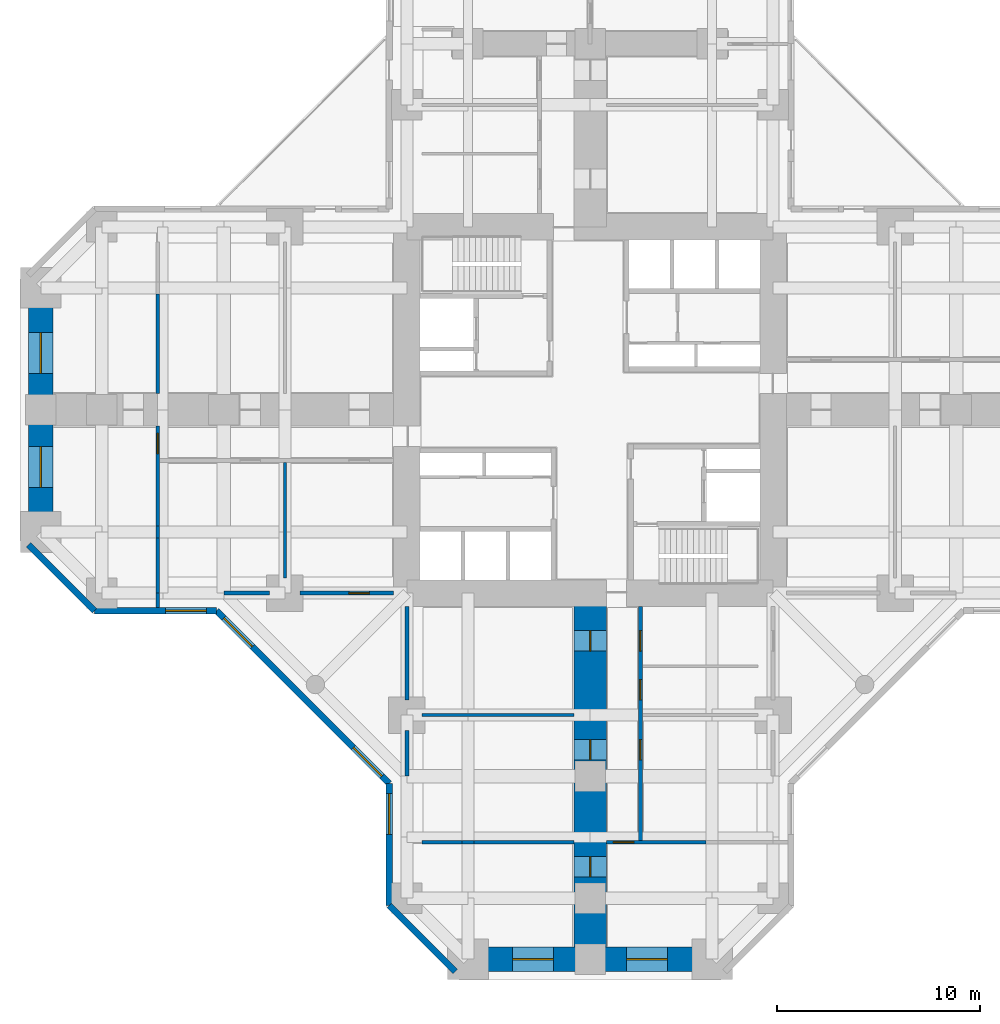
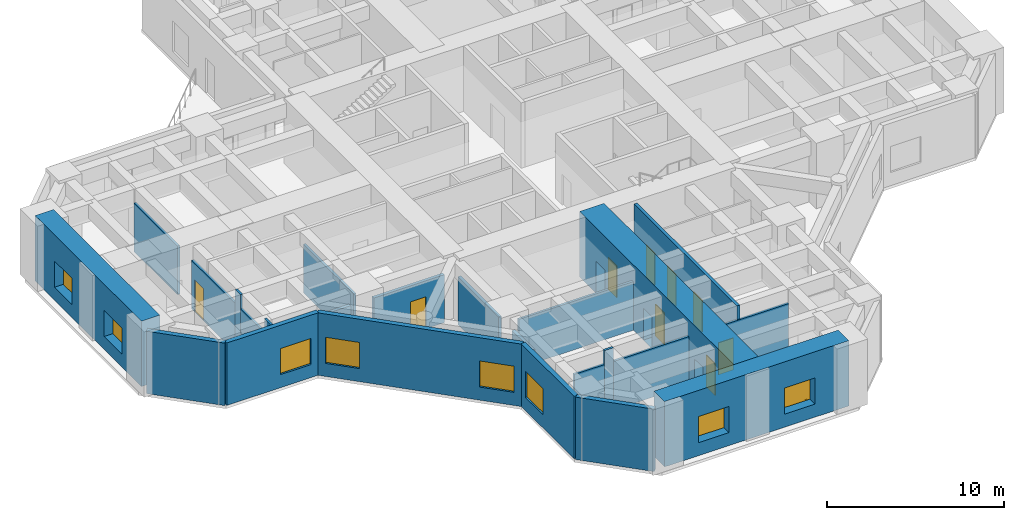
# One storey, part 3 of 10: 24 walls, 9 doors, 8 windows, 17 openings.
"""IFC4 building model written with IfcOpenShell, lengths in metres."""

from ifc_helpers import new_model, si_unit, direction, frame, frame_2d, origin, place, context, subcontext, project, spatial, rectangle, hollow_rectangle, extrude, material, layer, layer_set, constituent, constituent_set, type_object, element, fill, save


model = new_model("IFC4")

# Units and contexts
model_context = context("Model", 3, precision=1e-05, world=origin(), true_north=direction((0.0, 1.0)))
body_context = subcontext(model_context, "Body", "Model", "MODEL_VIEW")
ifc_project = project(units=[si_unit("LENGTHUNIT", "METRE"), si_unit("AREAUNIT", "SQUARE_METRE"), si_unit("VOLUMEUNIT", "CUBIC_METRE"), si_unit("PLANEANGLEUNIT", "RADIAN"), si_unit("MASSUNIT", "GRAM", prefix="KILO")], contexts=[model_context])

# Site, building, storey
site_placement = place(None, origin())
site = spatial("IfcSite", under=ifc_project, at=site_placement, CompositionType="ELEMENT")
building_placement = place(site_placement, origin())
building = spatial("IfcBuilding", under=site, at=building_placement, Name="Torre Cruceta", CompositionType="ELEMENT")
storey_placement = place(building_placement, frame((0.0, 0.0, 5.0)))
storey = spatial("IfcBuildingStorey", under=building, at=storey_placement, Name="L01", CompositionType="ELEMENT", Elevation=5.0)

# Wall, openings, doors
ifc_material_1 = material(Name="Concrete G25 (fck 25 MPa)", Category="concrete")
ifc_layer_1 = layer(ifc_material_1, 0.199951171875)
ifc_layer_set_1 = layer_set([ifc_layer_1], Name="Concrete G25 (fck 25 MPa)")
wall_type_1 = type_object("IfcWallType", Name="CORRIDOR WALL 200", PredefinedType="SOLIDWALL", material=ifc_layer_set_1)
wall_1_placement = place(storey_placement, frame((2.47509765625, -9.64990234375, 0.0), z_axis=(0.0, 0.0, 1.0), x_axis=(0.0, -1.0, 0.0)))
wall_1 = element("IfcWall", 1, at=wall_1_placement, inside=storey, type_object=wall_type_1, Name="PT3 L01-S-CL", PredefinedType="SOLIDWALL", context=body_context, shape_type="SweptSolid", body=[
    extrude(rectangle(XDim=11.60009765625, YDim=0.199951171875, at=frame_2d((5.800048828125, 0.0))), origin(), (0.0, 0.0, 1.0), 4.300048828125),
])
opening_1_placement = place(wall_1_placement, frame((1.199951171875, 0.0, 0.0)))
opening_1 = element("IfcOpeningElement", 2, at=opening_1_placement, cuts=wall_1, Name="Opening D14", PredefinedType="OPENING", context=body_context, shape_type="SweptSolid", body=[
    extrude(rectangle(XDim=1.0, YDim=2.199951171875, at=frame_2d((0.5, 1.10009765625))), frame((0.0, 0.10986328125, 0.0), z_axis=(0.0, -1.0, 0.0), x_axis=(1.0, 0.0, 0.0)), (0.0, 0.0, 1.0), 0.219970703125),
])
opening_2_placement = place(wall_1_placement, frame((3.60009765625, 0.0, 0.0)))
opening_2 = element("IfcOpeningElement", 3, at=opening_2_placement, cuts=wall_1, Name="Opening D14", PredefinedType="OPENING", context=body_context, shape_type="SweptSolid", body=[
    extrude(rectangle(XDim=1.0, YDim=2.199951171875, at=frame_2d((0.5, 1.10009765625))), frame((0.0, 0.10986328125, 0.0), z_axis=(0.0, -1.0, 0.0), x_axis=(1.0, 0.0, 0.0)), (0.0, 0.0, 1.0), 0.219970703125),
])
opening_3_placement = place(wall_1_placement, frame((6.550048828125, 0.0, 0.0)))
opening_3 = element("IfcOpeningElement", 4, at=opening_3_placement, cuts=wall_1, Name="Opening D14", PredefinedType="OPENING", context=body_context, shape_type="SweptSolid", body=[
    extrude(rectangle(XDim=1.0, YDim=2.199951171875, at=frame_2d((0.5, 1.10009765625))), frame((0.0, 0.10986328125, 0.0), z_axis=(0.0, -1.0, 0.0), x_axis=(1.0, 0.0, 0.0)), (0.0, 0.0, 1.0), 0.219970703125),
])
ifc_material_2 = material(Name="Steel DX51D", Category="steel")
ifc_constituent_1 = constituent(ifc_material_2, Name="Leaf and frame")
ifc_material_3 = material(Name="Polyester powder coating", Category="paint")
ifc_constituent_2 = constituent(ifc_material_3, Name="Finish")
ifc_material_4 = material(Name="Fire-resisting glass", Category="glass")
ifc_constituent_3 = constituent(ifc_material_4, Name="Vision panel")
ifc_constituent_set_1 = constituent_set(constituents=[ifc_constituent_1, ifc_constituent_2, ifc_constituent_3], Name="Steel fire door with vision panel")
door_type = type_object("IfcDoorType", Name="FIRE DOOR VISION PANEL 1000X2200", OperationType="SINGLE_SWING_RIGHT", PredefinedType="DOOR", material=ifc_constituent_set_1)
door_1_placement = place(opening_1_placement, origin())
door_1 = element("IfcDoor", 5, at=door_1_placement, inside=storey, type_object=door_type, Name="D14 L01-S-CL-D1", OperationType="SINGLE_SWING_RIGHT", OverallHeight=2.199951171875, OverallWidth=1.0, PredefinedType="DOOR", context=body_context, shape_type="SweptSolid", body=[
    extrude(rectangle(XDim=1.0, YDim=2.199951171875, at=frame_2d((0.5, 1.10009765625))), frame((0.0, 0.02490234375, 0.0), z_axis=(0.0, -1.0, 0.0), x_axis=(1.0, 0.0, 0.0)), (0.0, 0.0, 1.0), 0.050048828125),
])
fill(opening_1, door_1)
door_2_placement = place(opening_2_placement, origin())
door_2 = element("IfcDoor", 6, at=door_2_placement, inside=storey, type_object=door_type, Name="D14 L01-S-CL-D3", OperationType="SINGLE_SWING_LEFT", OverallHeight=2.199951171875, OverallWidth=1.0, PredefinedType="DOOR", context=body_context, shape_type="SweptSolid", body=[
    extrude(rectangle(XDim=1.0, YDim=2.199951171875, at=frame_2d((0.5, 1.10009765625))), frame((0.0, 0.02490234375, 0.0), z_axis=(0.0, -1.0, 0.0), x_axis=(1.0, 0.0, 0.0)), (0.0, 0.0, 1.0), 0.050048828125),
])
fill(opening_2, door_2)
door_3_placement = place(opening_3_placement, origin())
door_3 = element("IfcDoor", 7, at=door_3_placement, inside=storey, type_object=door_type, Name="D14 L01-S-CL-D2", OperationType="SINGLE_SWING_LEFT", OverallHeight=2.199951171875, OverallWidth=1.0, PredefinedType="DOOR", context=body_context, shape_type="SweptSolid", body=[
    extrude(rectangle(XDim=1.0, YDim=2.199951171875, at=frame_2d((0.5, 1.10009765625))), frame((0.0, 0.02490234375, 0.0), z_axis=(0.0, -1.0, 0.0), x_axis=(1.0, 0.0, 0.0)), (0.0, 0.0, 1.0), 0.050048828125),
])
fill(opening_3, door_3)

# Wall
ifc_material_5 = material(Name="Concrete G30 (fck 30 MPa)", Category="concrete")
ifc_layer_2 = layer(ifc_material_5, 0.300048828125)
ifc_layer_set_2 = layer_set([ifc_layer_2], Name="Concrete G30 (fck 30 MPa)")
wall_type_2 = type_object("IfcWallType", Name="EXPOSED CONCRETE FACADE WALL 300", PredefinedType="SOLIDWALL", material=ifc_layer_set_2)
wall_2_placement = place(storey_placement, frame((-27.60009765625, -6.63037109375, 0.0), z_axis=(0.0, 0.0, 1.0), x_axis=(0.707106781187, -0.707106781187, 0.0)))
element("IfcWall", 8, at=wall_2_placement, inside=storey, type_object=wall_type_2, Name="EW1 facade wall L01 W chamfer 13", PredefinedType="SOLIDWALL", context=body_context, shape_type="SweptSolid", body=[
    extrude(rectangle(XDim=4.581787109375, YDim=0.300048828125, at=frame_2d((2.291015625, 0.0))), origin(), (0.0, 0.0, 1.0), 4.300048828125),
])

# Wall, opening, window
wall_3_placement = place(storey_placement, frame((-24.3603515625, -9.8701171875, 0.0), z_axis=(0.0, 0.0, 1.0), x_axis=(1.0, 0.0, 0.0)))
wall_3 = element("IfcWall", 9, at=wall_3_placement, inside=storey, type_object=wall_type_2, Name="EW1 facade wall L01 W side 14", PredefinedType="SOLIDWALL", context=body_context, shape_type="SweptSolid", body=[
    extrude(rectangle(XDim=6.0, YDim=0.300048828125, at=frame_2d((3.0, 0.0))), origin(), (0.0, 0.0, 1.0), 4.300048828125),
])
opening_4_placement = place(wall_3_placement, frame((3.5, 0.0, 0.89990234375)))
opening_4 = element("IfcOpeningElement", 10, at=opening_4_placement, cuts=wall_3, Name="Opening WN1", PredefinedType="OPENING", context=body_context, shape_type="SweptSolid", body=[
    extrude(rectangle(XDim=2.0, YDim=1.800048828125, at=frame_2d((1.0, 0.89990234375))), frame((0.0, 0.159912109375, 0.0), z_axis=(0.0, -1.0, 0.0), x_axis=(1.0, 0.0, 0.0)), (0.0, 0.0, 1.0), 0.320068359375),
])
ifc_material_6 = material(Name="Aluminium window frame", Category="aluminium")
ifc_constituent_4 = constituent(ifc_material_6, Name="Frame")
ifc_material_7 = material(Name="Laminated insulating glass unit, low-iron clear", Category="glass")
ifc_constituent_5 = constituent(ifc_material_7, Name="Glazing")
ifc_constituent_set_2 = constituent_set(constituents=[ifc_constituent_4, ifc_constituent_5], Name="Aluminium window")
window_type = type_object("IfcWindowType", Name="SCHOOL WINDOW 2000X1800", PartitioningType="SINGLE_PANEL", PredefinedType="WINDOW", material=ifc_constituent_set_2)
window_1_placement = place(opening_4_placement, origin())
window_1 = element("IfcWindow", 11, at=window_1_placement, inside=storey, type_object=window_type, Name="WN1 L01 W 2", OverallHeight=1.800048828125, OverallWidth=2.0, PartitioningType="SINGLE_PANEL", PredefinedType="WINDOW", context=body_context, shape_type="SweptSolid", body=[
    extrude(hollow_rectangle(XDim=2.0, YDim=1.800048828125, WallThickness=0.06005859375, at=frame_2d((1.0, 0.89990234375))), frame((0.0, 0.030029296875, 0.0), z_axis=(0.0, -1.0, 0.0), x_axis=(1.0, 0.0, 0.0)), (0.0, 0.0, 1.0), 0.06005859375),
    extrude(rectangle(XDim=1.87890625, YDim=1.678955078125, at=frame_2d((1.0, 0.89990234375))), frame((0.0, 0.030029296875, 0.0), z_axis=(0.0, -1.0, 0.0), x_axis=(1.0, 0.0, 0.0)), (0.0, 0.0, 1.0), 0.06005859375),
])
fill(opening_4, window_1)

# Wall, openings, windows
wall_4_placement = place(storey_placement, frame((-18.3603515625, -9.8701171875, 0.0), z_axis=(0.0, 0.0, 1.0), x_axis=(0.707106781187, -0.707106781187, 0.0)))
wall_4 = element("IfcWall", 12, at=wall_4_placement, inside=storey, type_object=wall_type_2, Name="EW1 facade wall L01 W wing 15", PredefinedType="SOLIDWALL", context=body_context, shape_type="SweptSolid", body=[
    extrude(rectangle(XDim=12.007080078125, YDim=0.300048828125, at=frame_2d((6.00341796875, 0.0))), origin(), (0.0, 0.0, 1.0), 4.300048828125),
])
opening_5_placement = place(wall_4_placement, frame((0.5009765625, 0.0, 0.89990234375)))
opening_5 = element("IfcOpeningElement", 13, at=opening_5_placement, cuts=wall_4, Name="Opening WN1", PredefinedType="OPENING", context=body_context, shape_type="SweptSolid", body=[
    extrude(rectangle(XDim=2.0, YDim=1.800048828125, at=frame_2d((1.0, 0.89990234375))), frame((0.0, 0.159912109375, 0.0), z_axis=(0.0, -1.0, 0.0), x_axis=(1.0, 0.0, 0.0)), (0.0, 0.0, 1.0), 0.320068359375),
])
opening_6_placement = place(wall_4_placement, frame((9.50634765625, 0.0, 0.89990234375)))
opening_6 = element("IfcOpeningElement", 14, at=opening_6_placement, cuts=wall_4, Name="Opening WN1", PredefinedType="OPENING", context=body_context, shape_type="SweptSolid", body=[
    extrude(rectangle(XDim=2.0, YDim=1.800048828125, at=frame_2d((1.0, 0.89990234375))), frame((0.0, 0.159912109375, 0.0), z_axis=(0.0, -1.0, 0.0), x_axis=(1.0, 0.0, 0.0)), (0.0, 0.0, 1.0), 0.320068359375),
])
window_2_placement = place(opening_5_placement, origin())
window_2 = element("IfcWindow", 15, at=window_2_placement, inside=storey, type_object=window_type, Name="WN1 L01 W 1", OverallHeight=1.800048828125, OverallWidth=2.0, PartitioningType="SINGLE_PANEL", PredefinedType="WINDOW", context=body_context, shape_type="SweptSolid", body=[
    extrude(hollow_rectangle(XDim=2.0, YDim=1.800048828125, WallThickness=0.06005859375, at=frame_2d((1.0, 0.89990234375))), frame((0.0, 0.030029296875, 0.0), z_axis=(0.0, -1.0, 0.0), x_axis=(1.0, 0.0, 0.0)), (0.0, 0.0, 1.0), 0.06005859375),
    extrude(rectangle(XDim=1.87890625, YDim=1.678955078125, at=frame_2d((1.0, 0.89990234375))), frame((0.0, 0.030029296875, 0.0), z_axis=(0.0, -1.0, 0.0), x_axis=(1.0, 0.0, 0.0)), (0.0, 0.0, 1.0), 0.06005859375),
])
fill(opening_5, window_2)
window_3_placement = place(opening_6_placement, origin())
window_3 = element("IfcWindow", 16, at=window_3_placement, inside=storey, type_object=window_type, Name="WN1 L01 W 4", OverallHeight=1.800048828125, OverallWidth=2.0, PartitioningType="SINGLE_PANEL", PredefinedType="WINDOW", context=body_context, shape_type="SweptSolid", body=[
    extrude(hollow_rectangle(XDim=2.0, YDim=1.800048828125, WallThickness=0.06005859375, at=frame_2d((1.0, 0.89990234375))), frame((0.0, 0.030029296875, 0.0), z_axis=(0.0, -1.0, 0.0), x_axis=(1.0, 0.0, 0.0)), (0.0, 0.0, 1.0), 0.06005859375),
    extrude(rectangle(XDim=1.87890625, YDim=1.678955078125, at=frame_2d((1.0, 0.89990234375))), frame((0.0, 0.030029296875, 0.0), z_axis=(0.0, -1.0, 0.0), x_axis=(1.0, 0.0, 0.0)), (0.0, 0.0, 1.0), 0.06005859375),
])
fill(opening_6, window_3)

# Wall, opening, window
wall_5_placement = place(storey_placement, frame((-9.8701171875, -18.3603515625, 0.0), z_axis=(0.0, 0.0, 1.0), x_axis=(0.0, -1.0, 0.0)))
wall_5 = element("IfcWall", 17, at=wall_5_placement, inside=storey, type_object=wall_type_2, Name="EW1 facade wall L01 S side 16", PredefinedType="SOLIDWALL", context=body_context, shape_type="SweptSolid", body=[
    extrude(rectangle(XDim=6.0, YDim=0.300048828125, at=frame_2d((3.0, 0.0))), origin(), (0.0, 0.0, 1.0), 4.300048828125),
])
opening_7_placement = place(wall_5_placement, frame((0.5, 0.0, 0.89990234375)))
opening_7 = element("IfcOpeningElement", 18, at=opening_7_placement, cuts=wall_5, Name="Opening WN1", PredefinedType="OPENING", context=body_context, shape_type="SweptSolid", body=[
    extrude(rectangle(XDim=2.0, YDim=1.800048828125, at=frame_2d((1.0, 0.89990234375))), frame((0.0, 0.159912109375, 0.0), z_axis=(0.0, -1.0, 0.0), x_axis=(1.0, 0.0, 0.0)), (0.0, 0.0, 1.0), 0.320068359375),
])
window_4_placement = place(opening_7_placement, origin())
window_4 = element("IfcWindow", 19, at=window_4_placement, inside=storey, type_object=window_type, Name="WN1 L01 S 1", OverallHeight=1.800048828125, OverallWidth=2.0, PartitioningType="SINGLE_PANEL", PredefinedType="WINDOW", context=body_context, shape_type="SweptSolid", body=[
    extrude(hollow_rectangle(XDim=2.0, YDim=1.800048828125, WallThickness=0.06005859375, at=frame_2d((1.0, 0.89990234375))), frame((0.0, 0.030029296875, 0.0), z_axis=(0.0, -1.0, 0.0), x_axis=(1.0, 0.0, 0.0)), (0.0, 0.0, 1.0), 0.06005859375),
    extrude(rectangle(XDim=1.87890625, YDim=1.678955078125, at=frame_2d((1.0, 0.89990234375))), frame((0.0, 0.030029296875, 0.0), z_axis=(0.0, -1.0, 0.0), x_axis=(1.0, 0.0, 0.0)), (0.0, 0.0, 1.0), 0.06005859375),
])
fill(opening_7, window_4)

# Wall
wall_6_placement = place(storey_placement, frame((-9.8701171875, -24.3603515625, 0.0), z_axis=(0.0, 0.0, 1.0), x_axis=(0.707106781187, -0.707106781187, 0.0)))
element("IfcWall", 20, at=wall_6_placement, inside=storey, type_object=wall_type_2, Name="EW1 facade wall L01 S chamfer 17", PredefinedType="SOLIDWALL", context=body_context, shape_type="SweptSolid", body=[
    extrude(rectangle(XDim=4.581787109375, YDim=0.300048828125, at=frame_2d((2.291015625, 0.0))), origin(), (0.0, 0.0, 1.0), 4.300048828125),
])

# Wall, openings, windows
ifc_material_8 = material(Name="Concrete G60 (fck 60 MPa)", Category="concrete")
ifc_layer_3 = layer(ifc_material_8, 1.199951171875)
ifc_layer_set_3 = layer_set([ifc_layer_3], Name="Concrete G60 (fck 60 MPa)")
wall_type_3 = type_object("IfcWallType", Name="NOSE WALL 1200 G60", PredefinedType="SHEAR", material=ifc_layer_set_3)
wall_7_placement = place(storey_placement, frame((-6.0, -27.0, 0.0), z_axis=(0.0, 0.0, 1.0), x_axis=(1.0, 0.0, 0.0)))
wall_7 = element("IfcWall", 21, at=wall_7_placement, inside=storey, type_object=wall_type_3, Name="NW1 nose wall L01 S", PredefinedType="SHEAR", context=body_context, shape_type="SweptSolid", body=[
    extrude(rectangle(XDim=12.0, YDim=1.199951171875, at=frame_2d((6.0, 0.0))), origin(), (0.0, 0.0, 1.0), 4.5),
])
opening_8_placement = place(wall_7_placement, frame((2.199951171875, 0.0, 0.89990234375)))
opening_8 = element("IfcOpeningElement", 22, at=opening_8_placement, cuts=wall_7, Name="Opening WN1", PredefinedType="OPENING", context=body_context, shape_type="SweptSolid", body=[
    extrude(rectangle(XDim=2.0, YDim=1.800048828125, at=frame_2d((1.0, 0.89990234375))), frame((0.0, 0.60986328125, 0.0), z_axis=(0.0, -1.0, 0.0), x_axis=(1.0, 0.0, 0.0)), (0.0, 0.0, 1.0), 1.219970703125),
])
opening_9_placement = place(wall_7_placement, frame((7.800048828125, 0.0, 0.89990234375)))
opening_9 = element("IfcOpeningElement", 23, at=opening_9_placement, cuts=wall_7, Name="Opening WN1", PredefinedType="OPENING", context=body_context, shape_type="SweptSolid", body=[
    extrude(rectangle(XDim=2.0, YDim=1.800048828125, at=frame_2d((1.0, 0.89990234375))), frame((0.0, 0.60986328125, 0.0), z_axis=(0.0, -1.0, 0.0), x_axis=(1.0, 0.0, 0.0)), (0.0, 0.0, 1.0), 1.219970703125),
])
window_5_placement = place(opening_8_placement, origin())
window_5 = element("IfcWindow", 24, at=window_5_placement, inside=storey, type_object=window_type, Name="WN1 L01 S 1", OverallHeight=1.800048828125, OverallWidth=2.0, PartitioningType="SINGLE_PANEL", PredefinedType="WINDOW", context=body_context, shape_type="SweptSolid", body=[
    extrude(hollow_rectangle(XDim=2.0, YDim=1.800048828125, WallThickness=0.06005859375, at=frame_2d((1.0, 0.89990234375))), frame((0.0, 0.030029296875, 0.0), z_axis=(0.0, -1.0, 0.0), x_axis=(1.0, 0.0, 0.0)), (0.0, 0.0, 1.0), 0.06005859375),
    extrude(rectangle(XDim=1.87890625, YDim=1.678955078125, at=frame_2d((1.0, 0.89990234375))), frame((0.0, 0.030029296875, 0.0), z_axis=(0.0, -1.0, 0.0), x_axis=(1.0, 0.0, 0.0)), (0.0, 0.0, 1.0), 0.06005859375),
])
fill(opening_8, window_5)
window_6_placement = place(opening_9_placement, origin())
window_6 = element("IfcWindow", 25, at=window_6_placement, inside=storey, type_object=window_type, Name="WN1 L01 S 2", OverallHeight=1.800048828125, OverallWidth=2.0, PartitioningType="SINGLE_PANEL", PredefinedType="WINDOW", context=body_context, shape_type="SweptSolid", body=[
    extrude(hollow_rectangle(XDim=2.0, YDim=1.800048828125, WallThickness=0.06005859375, at=frame_2d((1.0, 0.89990234375))), frame((0.0, 0.030029296875, 0.0), z_axis=(0.0, -1.0, 0.0), x_axis=(1.0, 0.0, 0.0)), (0.0, 0.0, 1.0), 0.06005859375),
    extrude(rectangle(XDim=1.87890625, YDim=1.678955078125, at=frame_2d((1.0, 0.89990234375))), frame((0.0, 0.030029296875, 0.0), z_axis=(0.0, -1.0, 0.0), x_axis=(1.0, 0.0, 0.0)), (0.0, 0.0, 1.0), 0.06005859375),
])
fill(opening_9, window_6)

wall_8_placement = place(storey_placement, frame((-27.0, 6.0, 0.0), z_axis=(0.0, 0.0, 1.0), x_axis=(0.0, -1.0, 0.0)))
wall_8 = element("IfcWall", 26, at=wall_8_placement, inside=storey, type_object=wall_type_3, Name="NW1 nose wall L01 W", PredefinedType="SHEAR", context=body_context, shape_type="SweptSolid", body=[
    extrude(rectangle(XDim=12.0, YDim=1.199951171875, at=frame_2d((6.0, 0.0))), origin(), (0.0, 0.0, 1.0), 4.5),
])
opening_10_placement = place(wall_8_placement, frame((2.199951171875, 0.0, 0.89990234375)))
opening_10 = element("IfcOpeningElement", 27, at=opening_10_placement, cuts=wall_8, Name="Opening WN1", PredefinedType="OPENING", context=body_context, shape_type="SweptSolid", body=[
    extrude(rectangle(XDim=2.0, YDim=1.800048828125, at=frame_2d((1.0, 0.89990234375))), frame((0.0, 0.60986328125, 0.0), z_axis=(0.0, -1.0, 0.0), x_axis=(1.0, 0.0, 0.0)), (0.0, 0.0, 1.0), 1.219970703125),
])
opening_11_placement = place(wall_8_placement, frame((7.800048828125, 0.0, 0.89990234375)))
opening_11 = element("IfcOpeningElement", 28, at=opening_11_placement, cuts=wall_8, Name="Opening WN1", PredefinedType="OPENING", context=body_context, shape_type="SweptSolid", body=[
    extrude(rectangle(XDim=2.0, YDim=1.800048828125, at=frame_2d((1.0, 0.89990234375))), frame((0.0, 0.60986328125, 0.0), z_axis=(0.0, -1.0, 0.0), x_axis=(1.0, 0.0, 0.0)), (0.0, 0.0, 1.0), 1.219970703125),
])
window_7_placement = place(opening_10_placement, origin())
window_7 = element("IfcWindow", 29, at=window_7_placement, inside=storey, type_object=window_type, Name="WN1 L01 W 1", OverallHeight=1.800048828125, OverallWidth=2.0, PartitioningType="SINGLE_PANEL", PredefinedType="WINDOW", context=body_context, shape_type="SweptSolid", body=[
    extrude(hollow_rectangle(XDim=2.0, YDim=1.800048828125, WallThickness=0.06005859375, at=frame_2d((1.0, 0.89990234375))), frame((0.0, 0.030029296875, 0.0), z_axis=(0.0, -1.0, 0.0), x_axis=(1.0, 0.0, 0.0)), (0.0, 0.0, 1.0), 0.06005859375),
    extrude(rectangle(XDim=1.87890625, YDim=1.678955078125, at=frame_2d((1.0, 0.89990234375))), frame((0.0, 0.030029296875, 0.0), z_axis=(0.0, -1.0, 0.0), x_axis=(1.0, 0.0, 0.0)), (0.0, 0.0, 1.0), 0.06005859375),
])
fill(opening_10, window_7)
window_8_placement = place(opening_11_placement, origin())
window_8 = element("IfcWindow", 30, at=window_8_placement, inside=storey, type_object=window_type, Name="WN1 L01 W 2", OverallHeight=1.800048828125, OverallWidth=2.0, PartitioningType="SINGLE_PANEL", PredefinedType="WINDOW", context=body_context, shape_type="SweptSolid", body=[
    extrude(hollow_rectangle(XDim=2.0, YDim=1.800048828125, WallThickness=0.06005859375, at=frame_2d((1.0, 0.89990234375))), frame((0.0, 0.030029296875, 0.0), z_axis=(0.0, -1.0, 0.0), x_axis=(1.0, 0.0, 0.0)), (0.0, 0.0, 1.0), 0.06005859375),
    extrude(rectangle(XDim=1.87890625, YDim=1.678955078125, at=frame_2d((1.0, 0.89990234375))), frame((0.0, 0.030029296875, 0.0), z_axis=(0.0, -1.0, 0.0), x_axis=(1.0, 0.0, 0.0)), (0.0, 0.0, 1.0), 0.06005859375),
])
fill(opening_11, window_8)

# Walls
ifc_material_9 = material(Name="Plasterboard on steel studs", Category="steel")
ifc_layer_4 = layer(ifc_material_9, 0.14990234375)
ifc_layer_set_4 = layer_set([ifc_layer_4], Name="Plasterboard on steel studs")
wall_type_4 = type_object("IfcWallType", Name="PARTITION 150", PredefinedType="PARTITIONING", material=ifc_layer_set_4)
wall_9_placement = place(storey_placement, frame((-8.25, -15.0, 0.0), z_axis=(0.0, 0.0, 1.0), x_axis=(1.0, 0.0, 0.0)))
element("IfcWall", 31, at=wall_9_placement, inside=storey, type_object=wall_type_4, Name="PT1 L01-S-P1R", PredefinedType="PARTITIONING", context=body_context, shape_type="SweptSolid", body=[
    extrude(rectangle(XDim=7.449951171875, YDim=0.14990234375, at=frame_2d((3.72509765625, 0.0))), origin(), (0.0, 0.0, 1.0), 3.35009765625),
])
wall_10_placement = place(storey_placement, frame((-8.25, -21.25, 0.0), z_axis=(0.0, 0.0, 1.0), x_axis=(1.0, 0.0, 0.0)))
element("IfcWall", 32, at=wall_10_placement, inside=storey, type_object=wall_type_4, Name="PT1 L01-S-ENDa", PredefinedType="PARTITIONING", context=body_context, shape_type="SweptSolid", body=[
    extrude(rectangle(XDim=1.949951171875, YDim=0.14990234375, at=frame_2d((0.97509765625, 0.0))), origin(), (0.0, 0.0, 1.0), 3.35009765625),
])
wall_11_placement = place(storey_placement, frame((-6.300048828125, -21.25, 0.0), z_axis=(0.0, 0.0, 1.0), x_axis=(1.0, 0.0, 0.0)))
element("IfcWall", 33, at=wall_11_placement, inside=storey, type_object=wall_type_4, Name="PT1 L01-S-ENDa 2", PredefinedType="PARTITIONING", context=body_context, shape_type="SweptSolid", body=[
    extrude(rectangle(XDim=0.60009765625, YDim=0.14990234375, at=frame_2d((0.300048828125, 0.0))), origin(), (0.0, 0.0, 1.0), 4.300048828125),
])
wall_12_placement = place(storey_placement, frame((-5.699951171875, -21.25, 0.0), z_axis=(0.0, 0.0, 1.0), x_axis=(1.0, 0.0, 0.0)))
element("IfcWall", 34, at=wall_12_placement, inside=storey, type_object=wall_type_4, Name="PT1 L01-S-ENDa 3", PredefinedType="PARTITIONING", context=body_context, shape_type="SweptSolid", body=[
    extrude(rectangle(XDim=4.89990234375, YDim=0.14990234375, at=frame_2d((2.449951171875, 0.0))), origin(), (0.0, 0.0, 1.0), 3.35009765625),
])

# Wall, opening, door
wall_13_placement = place(storey_placement, frame((0.800048828125, -21.25, 0.0), z_axis=(0.0, 0.0, 1.0), x_axis=(1.0, 0.0, 0.0)))
wall_13 = element("IfcWall", 35, at=wall_13_placement, inside=storey, type_object=wall_type_4, Name="PT1 L01-S-ENDb", PredefinedType="PARTITIONING", context=body_context, shape_type="SweptSolid", body=[
    extrude(rectangle(XDim=4.89990234375, YDim=0.14990234375, at=frame_2d((2.449951171875, 0.0))), origin(), (0.0, 0.0, 1.0), 3.35009765625),
])
opening_12_placement = place(wall_13_placement, frame((0.35009765625, 0.0, 0.0)))
opening_12 = element("IfcOpeningElement", 36, at=opening_12_placement, cuts=wall_13, Name="Opening D14", PredefinedType="OPENING", context=body_context, shape_type="SweptSolid", body=[
    extrude(rectangle(XDim=1.0, YDim=2.199951171875, at=frame_2d((0.5, 1.10009765625))), frame((0.0, 0.0849609375, 0.0), z_axis=(0.0, -1.0, 0.0), x_axis=(1.0, 0.0, 0.0)), (0.0, 0.0, 1.0), 0.169921875),
])
door_4_placement = place(opening_12_placement, frame((1.0, 0.0, 0.0), z_axis=(0.0, 0.0, 1.0), x_axis=(-1.0, 0.0, 0.0)))
door_4 = element("IfcDoor", 37, at=door_4_placement, inside=storey, type_object=door_type, Name="D14 L01-S-ENDb-D1", OperationType="SINGLE_SWING_LEFT", OverallHeight=2.199951171875, OverallWidth=1.0, PredefinedType="DOOR", context=body_context, shape_type="SweptSolid", body=[
    extrude(rectangle(XDim=1.0, YDim=2.199951171875, at=frame_2d((0.5, 1.10009765625))), frame((0.0, 0.025146484375, 0.0), z_axis=(0.0, -1.0, 0.0), x_axis=(1.0, 0.0, 0.0)), (0.0, 0.0, 1.0), 0.050048828125),
])
fill(opening_12, door_4)

# Walls
wall_14_placement = place(storey_placement, frame((-15.0, -2.574951171875, 0.0), z_axis=(0.0, 0.0, 1.0), x_axis=(0.0, -1.0, 0.0)))
element("IfcWall", 38, at=wall_14_placement, inside=storey, type_object=wall_type_4, Name="PT1 L01-W-P1L", PredefinedType="PARTITIONING", context=body_context, shape_type="SweptSolid", body=[
    extrude(rectangle(XDim=5.675048828125, YDim=0.14990234375, at=frame_2d((2.83740234375, 0.0))), origin(), (0.0, 0.0, 1.0), 3.35009765625),
])
wall_15_placement = place(storey_placement, frame((-21.25, 5.699951171875, 0.0), z_axis=(0.0, 0.0, 1.0), x_axis=(0.0, -1.0, 0.0)))
element("IfcWall", 39, at=wall_15_placement, inside=storey, type_object=wall_type_4, Name="PT1 L01-W-ENDa 3", PredefinedType="PARTITIONING", context=body_context, shape_type="SweptSolid", body=[
    extrude(rectangle(XDim=4.89990234375, YDim=0.14990234375, at=frame_2d((2.449951171875, 0.0))), origin(), (0.0, 0.0, 1.0), 3.35009765625),
])

# Wall, opening, door
wall_16_placement = place(storey_placement, frame((-21.25, -0.800048828125, 0.0), z_axis=(0.0, 0.0, 1.0), x_axis=(0.0, -1.0, 0.0)))
wall_16 = element("IfcWall", 40, at=wall_16_placement, inside=storey, type_object=wall_type_4, Name="PT1 L01-W-ENDb", PredefinedType="PARTITIONING", context=body_context, shape_type="SweptSolid", body=[
    extrude(rectangle(XDim=4.89990234375, YDim=0.14990234375, at=frame_2d((2.449951171875, 0.0))), origin(), (0.0, 0.0, 1.0), 3.35009765625),
])
opening_13_placement = place(wall_16_placement, frame((0.35009765625, 0.0, 0.0)))
opening_13 = element("IfcOpeningElement", 41, at=opening_13_placement, cuts=wall_16, Name="Opening D14", PredefinedType="OPENING", context=body_context, shape_type="SweptSolid", body=[
    extrude(rectangle(XDim=1.0, YDim=2.199951171875, at=frame_2d((0.5, 1.10009765625))), frame((0.0, 0.0849609375, 0.0), z_axis=(0.0, -1.0, 0.0), x_axis=(1.0, 0.0, 0.0)), (0.0, 0.0, 1.0), 0.169921875),
])
door_5_placement = place(opening_13_placement, frame((1.0, 0.0, 0.0), z_axis=(0.0, 0.0, 1.0), x_axis=(-1.0, 0.0, 0.0)))
door_5 = element("IfcDoor", 42, at=door_5_placement, inside=storey, type_object=door_type, Name="D14 L01-W-ENDb-D1", OperationType="SINGLE_SWING_LEFT", OverallHeight=2.199951171875, OverallWidth=1.0, PredefinedType="DOOR", context=body_context, shape_type="SweptSolid", body=[
    extrude(rectangle(XDim=1.0, YDim=2.199951171875, at=frame_2d((0.5, 1.10009765625))), frame((0.0, 0.025146484375, 0.0), z_axis=(0.0, -1.0, 0.0), x_axis=(1.0, 0.0, 0.0)), (0.0, 0.0, 1.0), 0.050048828125),
])
fill(opening_13, door_5)

# Walls
wall_17_placement = place(storey_placement, frame((-21.25, -5.699951171875, 0.0), z_axis=(0.0, 0.0, 1.0), x_axis=(0.0, -1.0, 0.0)))
element("IfcWall", 43, at=wall_17_placement, inside=storey, type_object=wall_type_4, Name="PT1 L01-W-ENDb 2", PredefinedType="PARTITIONING", context=body_context, shape_type="SweptSolid", body=[
    extrude(rectangle(XDim=0.60009765625, YDim=0.14990234375, at=frame_2d((0.300048828125, 0.0))), origin(), (0.0, 0.0, 1.0), 4.300048828125),
])
wall_18_placement = place(storey_placement, frame((-21.25, -6.300048828125, 0.0), z_axis=(0.0, 0.0, 1.0), x_axis=(0.0, -1.0, 0.0)))
element("IfcWall", 44, at=wall_18_placement, inside=storey, type_object=wall_type_4, Name="PT1 L01-W-ENDb 3", PredefinedType="PARTITIONING", context=body_context, shape_type="SweptSolid", body=[
    extrude(rectangle(XDim=2.699951171875, YDim=0.14990234375, at=frame_2d((1.35009765625, 0.0))), origin(), (0.0, 0.0, 1.0), 3.35009765625),
])
wall_19_placement = place(storey_placement, frame((-21.25, -9.0, 0.0), z_axis=(0.0, 0.0, 1.0), x_axis=(0.0, -1.0, 0.0)))
element("IfcWall", 45, at=wall_19_placement, inside=storey, type_object=wall_type_4, Name="PT1 L01-W-ENDb 4", PredefinedType="PARTITIONING", context=body_context, shape_type="SweptSolid", body=[
    extrude(rectangle(XDim=0.719970703125, YDim=0.14990234375, at=frame_2d((0.35986328125, 0.0))), origin(), (0.0, 0.0, 1.0), 4.300048828125),
])

# Wall, openings, doors
ifc_material_10 = material(Name="Concrete G60 (fck 60 MPa)", Category="concrete")
ifc_layer_5 = layer(ifc_material_10, 1.60009765625)
ifc_layer_set_5 = layer_set([ifc_layer_5], Name="Concrete G60 (fck 60 MPa)")
wall_type_5 = type_object("IfcWallType", Name="SPINE WALL 1600 G60", PredefinedType="SHEAR", material=ifc_layer_set_5)
wall_20_placement = place(storey_placement, frame((0.0, -9.0, 0.0), z_axis=(0.0, 0.0, 1.0), x_axis=(0.0, -1.0, 0.0)))
wall_20 = element("IfcWall", 46, at=wall_20_placement, inside=storey, type_object=wall_type_5, Name="SW2 spine wall L01 S", PredefinedType="SHEAR", context=body_context, shape_type="SweptSolid", body=[
    extrude(rectangle(XDim=18.0, YDim=1.60009765625, at=frame_2d((9.0, 0.0))), origin(), (0.0, 0.0, 1.0), 4.5),
])
opening_14_placement = place(wall_20_placement, frame((1.85009765625, 0.0, 0.0)))
opening_14 = element("IfcOpeningElement", 47, at=opening_14_placement, cuts=wall_20, Name="Opening D14", PredefinedType="OPENING", context=body_context, shape_type="SweptSolid", body=[
    extrude(rectangle(XDim=1.0, YDim=2.199951171875, at=frame_2d((0.5, 1.10009765625))), frame((0.0, 0.81005859375, 0.0), z_axis=(0.0, -1.0, 0.0), x_axis=(1.0, 0.0, 0.0)), (0.0, 0.0, 1.0), 1.6201171875),
])
opening_15_placement = place(wall_20_placement, frame((7.199951171875, 0.0, 0.0)))
opening_15 = element("IfcOpeningElement", 48, at=opening_15_placement, cuts=wall_20, Name="Opening D14", PredefinedType="OPENING", context=body_context, shape_type="SweptSolid", body=[
    extrude(rectangle(XDim=1.0, YDim=2.199951171875, at=frame_2d((0.5, 1.10009765625))), frame((0.0, 0.81005859375, 0.0), z_axis=(0.0, -1.0, 0.0), x_axis=(1.0, 0.0, 0.0)), (0.0, 0.0, 1.0), 1.6201171875),
])
opening_16_placement = place(wall_20_placement, frame((12.949951171875, 0.0, 0.0)))
opening_16 = element("IfcOpeningElement", 49, at=opening_16_placement, cuts=wall_20, Name="Opening D14", PredefinedType="OPENING", context=body_context, shape_type="SweptSolid", body=[
    extrude(rectangle(XDim=1.0, YDim=2.199951171875, at=frame_2d((0.5, 1.10009765625))), frame((0.0, 0.81005859375, 0.0), z_axis=(0.0, -1.0, 0.0), x_axis=(1.0, 0.0, 0.0)), (0.0, 0.0, 1.0), 1.6201171875),
])
door_6_placement = place(opening_14_placement, frame((1.0, 0.0, 0.0), z_axis=(0.0, 0.0, 1.0), x_axis=(-1.0, 0.0, 0.0)))
door_6 = element("IfcDoor", 50, at=door_6_placement, inside=storey, type_object=door_type, Name="D14 L01-S-SP1", OperationType="SINGLE_SWING_RIGHT", OverallHeight=2.199951171875, OverallWidth=1.0, PredefinedType="DOOR", context=body_context, shape_type="SweptSolid", body=[
    extrude(rectangle(XDim=1.0, YDim=2.199951171875, at=frame_2d((0.5, 1.10009765625))), frame((0.0, 0.025146484375, 0.0), z_axis=(0.0, -1.0, 0.0), x_axis=(1.0, 0.0, 0.0)), (0.0, 0.0, 1.0), 0.050048828125),
])
fill(opening_14, door_6)
door_7_placement = place(opening_15_placement, frame((1.0, 0.0, 0.0), z_axis=(0.0, 0.0, 1.0), x_axis=(-1.0, 0.0, 0.0)))
door_7 = element("IfcDoor", 51, at=door_7_placement, inside=storey, type_object=door_type, Name="D14 L01-S-SP2", OperationType="SINGLE_SWING_RIGHT", OverallHeight=2.199951171875, OverallWidth=1.0, PredefinedType="DOOR", context=body_context, shape_type="SweptSolid", body=[
    extrude(rectangle(XDim=1.0, YDim=2.199951171875, at=frame_2d((0.5, 1.10009765625))), frame((0.0, 0.025146484375, 0.0), z_axis=(0.0, -1.0, 0.0), x_axis=(1.0, 0.0, 0.0)), (0.0, 0.0, 1.0), 0.050048828125),
])
fill(opening_15, door_7)
door_8_placement = place(opening_16_placement, origin())
door_8 = element("IfcDoor", 52, at=door_8_placement, inside=storey, type_object=door_type, Name="D14 L01-S-SP3", OperationType="SINGLE_SWING_RIGHT", OverallHeight=2.199951171875, OverallWidth=1.0, PredefinedType="DOOR", context=body_context, shape_type="SweptSolid", body=[
    extrude(rectangle(XDim=1.0, YDim=2.199951171875, at=frame_2d((0.5, 1.10009765625))), frame((0.0, 0.02490234375, 0.0), z_axis=(0.0, -1.0, 0.0), x_axis=(1.0, 0.0, 0.0)), (0.0, 0.0, 1.0), 0.050048828125),
])
fill(opening_16, door_8)

# Wall, opening, door
ifc_material_11 = material(Name="Concrete G25 (fck 25 MPa)", Category="concrete")
ifc_layer_6 = layer(ifc_material_11, 0.199951171875)
ifc_layer_set_6 = layer_set([ifc_layer_6], Name="Concrete G25 (fck 25 MPa)")
wall_type_6 = type_object("IfcWallType", Name="WING SEPARATING WALL 200", PredefinedType="SOLIDWALL", material=ifc_layer_set_6)
wall_21_placement = place(storey_placement, frame((-9.64990234375, -9.0, 0.0), z_axis=(0.0, 0.0, 1.0), x_axis=(-1.0, 0.0, 0.0)))
wall_21 = element("IfcWall", 53, at=wall_21_placement, inside=storey, type_object=wall_type_6, Name="PT6 L01-WING-W-A1", PredefinedType="SOLIDWALL", context=body_context, shape_type="SweptSolid", body=[
    extrude(rectangle(XDim=4.60009765625, YDim=0.199951171875, at=frame_2d((2.300048828125, 0.0))), origin(), (0.0, 0.0, 1.0), 3.300048828125),
])
opening_17_placement = place(wall_21_placement, frame((1.199951171875, 0.0, 0.0)))
opening_17 = element("IfcOpeningElement", 54, at=opening_17_placement, cuts=wall_21, Name="Opening D14", PredefinedType="OPENING", context=body_context, shape_type="SweptSolid", body=[
    extrude(rectangle(XDim=1.0, YDim=2.199951171875, at=frame_2d((0.5, 1.10009765625))), frame((0.0, 0.10986328125, 0.0), z_axis=(0.0, -1.0, 0.0), x_axis=(1.0, 0.0, 0.0)), (0.0, 0.0, 1.0), 0.219970703125),
])
door_9_placement = place(opening_17_placement, origin())
door_9 = element("IfcDoor", 55, at=door_9_placement, inside=storey, type_object=door_type, Name="D14 L01-WING-W-A1-D1", OperationType="SINGLE_SWING_LEFT", OverallHeight=2.199951171875, OverallWidth=1.0, PredefinedType="DOOR", context=body_context, shape_type="SweptSolid", body=[
    extrude(rectangle(XDim=1.0, YDim=2.199951171875, at=frame_2d((0.5, 1.10009765625))), frame((0.0, 0.02490234375, 0.0), z_axis=(0.0, -1.0, 0.0), x_axis=(1.0, 0.0, 0.0)), (0.0, 0.0, 1.0), 0.050048828125),
])
fill(opening_17, door_9)

# Walls
wall_22_placement = place(storey_placement, frame((-15.75, -9.0, 0.0), z_axis=(0.0, 0.0, 1.0), x_axis=(-1.0, 0.0, 0.0)))
element("IfcWall", 56, at=wall_22_placement, inside=storey, type_object=wall_type_6, Name="PT6 L01-WING-W-A2", PredefinedType="SOLIDWALL", context=body_context, shape_type="SweptSolid", body=[
    extrude(rectangle(XDim=2.25, YDim=0.199951171875, at=frame_2d((1.125, 0.0))), origin(), (0.0, 0.0, 1.0), 3.300048828125),
])
wall_23_placement = place(storey_placement, frame((-9.0, -14.25, 0.0), z_axis=(0.0, 0.0, 1.0), x_axis=(0.0, 1.0, 0.0)))
element("IfcWall", 57, at=wall_23_placement, inside=storey, type_object=wall_type_6, Name="PT6 L01-WING-W-B1", PredefinedType="SOLIDWALL", context=body_context, shape_type="SweptSolid", body=[
    extrude(rectangle(XDim=4.60009765625, YDim=0.199951171875, at=frame_2d((2.300048828125, 0.0))), origin(), (0.0, 0.0, 1.0), 3.300048828125),
])
wall_24_placement = place(storey_placement, frame((-9.0, -18.0, 0.0), z_axis=(0.0, 0.0, 1.0), x_axis=(0.0, 1.0, 0.0)))
element("IfcWall", 58, at=wall_24_placement, inside=storey, type_object=wall_type_6, Name="PT6 L01-WING-W-B2", PredefinedType="SOLIDWALL", context=body_context, shape_type="SweptSolid", body=[
    extrude(rectangle(XDim=2.25, YDim=0.199951171875, at=frame_2d((1.125, 0.0))), origin(), (0.0, 0.0, 1.0), 3.300048828125),
])

save(model, "model.ifc")
